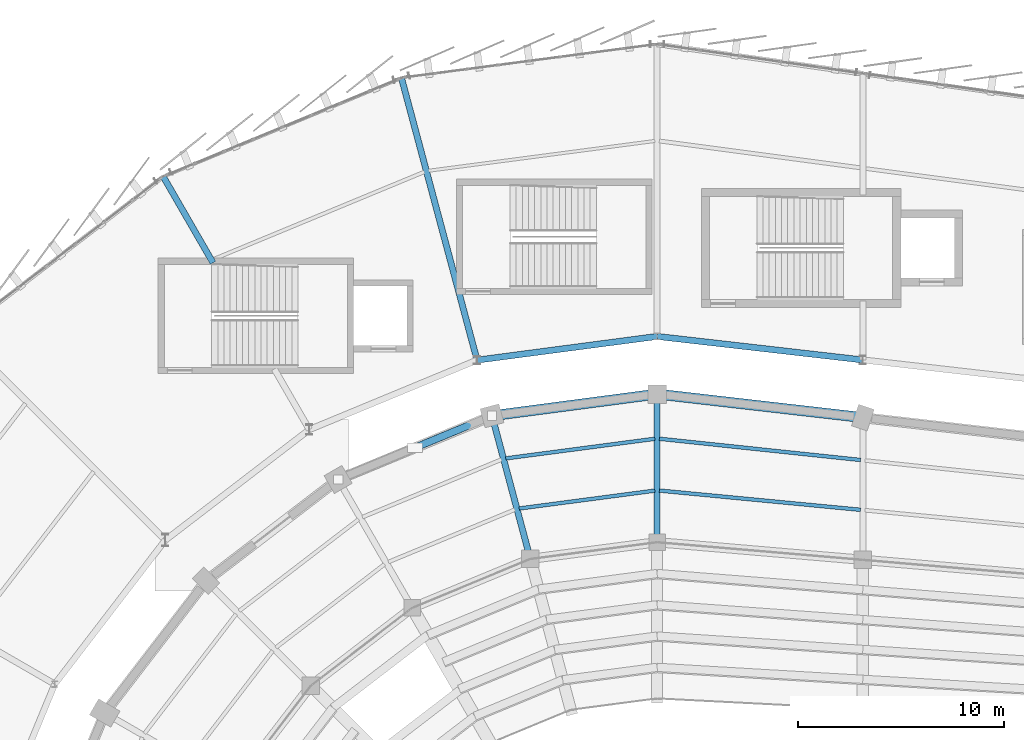
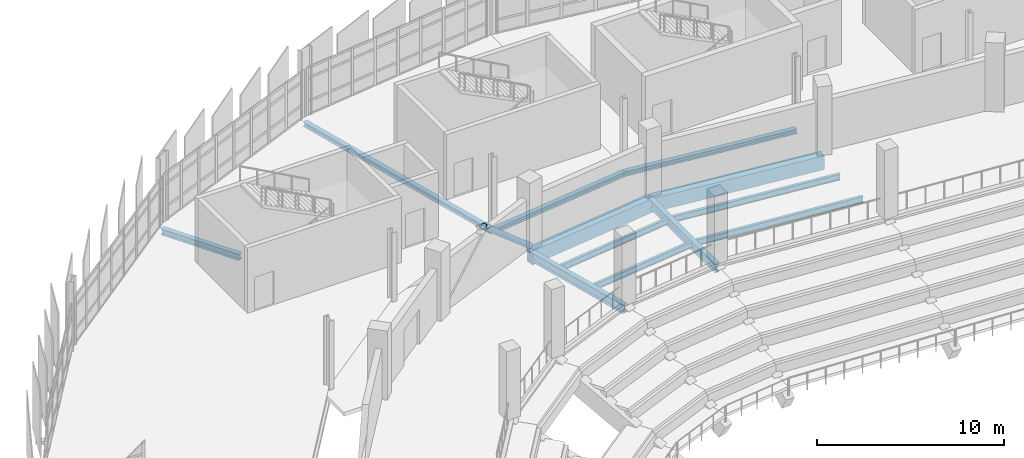
# One storey, part 55 of 134: 12 beams, 1 member.
"""IFC4 building model written with IfcOpenShell, lengths in metres."""

from ifc_helpers import new_model, si_unit, direction, frame, origin, origin_2d, place, context, subcontext, project, spatial, rectangle, hollow_circle, i_section, extrude, material, material_profile, profile_set, type_object, element, save


model = new_model("IFC4")

# Units and contexts
model_context = context("Model", 3, precision=1e-05, world=origin(), true_north=direction((0.0, 1.0)))
body_context = subcontext(model_context, "Body", "Model", "MODEL_VIEW")
ifc_project = project(units=[si_unit("LENGTHUNIT", "METRE"), si_unit("AREAUNIT", "SQUARE_METRE"), si_unit("VOLUMEUNIT", "CUBIC_METRE"), si_unit("PLANEANGLEUNIT", "RADIAN"), si_unit("MASSUNIT", "GRAM", prefix="KILO")], contexts=[model_context])

# Site, building, storey
site_placement = place(None, origin())
site = spatial("IfcSite", under=ifc_project, at=site_placement, CompositionType="ELEMENT")
building_placement = place(site_placement, origin())
building = spatial("IfcBuilding", under=site, at=building_placement, Name="Sohan Crest Arena", CompositionType="ELEMENT")
storey_placement = place(building_placement, frame((0.0, 0.0, 4.5)))
storey = spatial("IfcBuildingStorey", under=building, at=storey_placement, Name="L01", CompositionType="ELEMENT", Elevation=4.5)

# Beams
ifc_material_1 = material(Name="Steel S355", Category="steel")
ifc_material_profile_1 = material_profile(ifc_material_1, i_section(OverallWidth=0.179931640625, OverallDepth=0.39990234375, WebThickness=0.008544921875, FlangeThickness=0.013427734375, at=origin_2d()), Name="IPE 400")
ifc_profile_set_1 = profile_set([ifc_material_profile_1], Name="Steel S355")
beam_type_1 = type_object("IfcBeamType", Name="STR-BM-B03", PredefinedType="JOIST", material=ifc_profile_set_1)
beam_1_placement = place(storey_placement, frame((97.89111328125, 104.305908203125, -0.449951171875), z_axis=(-0.99142966471, -0.130641570465, 0.0), x_axis=(0.130641570465, -0.99142966471, 0.0)))
element("IfcBeam", 1, at=beam_1_placement, inside=storey, type_object=beam_type_1, Name="Structural beam J-L01-0067", PredefinedType="JOIST", context=body_context, shape_type="SweptSolid", body=[
    extrude(i_section(OverallWidth=0.179931640625, OverallDepth=0.39990234375, WebThickness=0.008544921875, FlangeThickness=0.013427734375, at=origin_2d()), origin(), (0.0, 0.0, 1.0), 6.65087890625),
])
beam_2_placement = place(storey_placement, frame((97.89111328125, 106.825927734375, -0.449951171875), z_axis=(-0.991446789819, -0.13051154339, 0.0), x_axis=(0.13051154339, -0.991446789819, 0.0)))
element("IfcBeam", 2, at=beam_2_placement, inside=storey, type_object=beam_type_1, Name="Structural beam J-L01-0068", PredefinedType="JOIST", context=body_context, shape_type="SweptSolid", body=[
    extrude(i_section(OverallWidth=0.179931640625, OverallDepth=0.39990234375, WebThickness=0.008544921875, FlangeThickness=0.013427734375, at=origin_2d()), origin(), (0.0, 0.0, 1.0), 7.30859375),
])
beam_3_placement = place(storey_placement, frame((107.89111328125, 103.373046875, -0.449951171875), z_axis=(-0.995443739336, 0.095350730547, 0.0), x_axis=(-0.095350730547, -0.995443739336, 0.0)))
element("IfcBeam", 3, at=beam_3_placement, inside=storey, type_object=beam_type_1, Name="Structural beam J-L01-0799", PredefinedType="JOIST", context=body_context, shape_type="SweptSolid", body=[
    extrude(i_section(OverallWidth=0.179931640625, OverallDepth=0.39990234375, WebThickness=0.008544921875, FlangeThickness=0.013427734375, at=origin_2d()), origin(), (0.0, 0.0, 1.0), 9.826904296875),
])
beam_4_placement = place(storey_placement, frame((107.89111328125, 105.794921875, -0.449951171875), z_axis=(-0.994470991784, 0.105011649352, 0.0), x_axis=(-0.105011649352, -0.994470991784, 0.0)))
element("IfcBeam", 4, at=beam_4_placement, inside=storey, type_object=beam_type_1, Name="Structural beam J-L01-0800", PredefinedType="JOIST", context=body_context, shape_type="SweptSolid", body=[
    extrude(i_section(OverallWidth=0.179931640625, OverallDepth=0.39990234375, WebThickness=0.008544921875, FlangeThickness=0.013427734375, at=origin_2d()), origin(), (0.0, 0.0, 1.0), 9.836669921875),
])
ifc_material_profile_2 = material_profile(ifc_material_1, i_section(OverallWidth=0.300048828125, OverallDepth=0.590087890625, WebThickness=0.012939453125, FlangeThickness=0.02490234375, at=origin_2d()), Name="HEA 600")
ifc_profile_set_2 = profile_set([ifc_material_profile_2], Name="Steel S355")
beam_type_2 = type_object("IfcBeamType", Name="STR-BM-B11", PredefinedType="BEAM", material=ifc_profile_set_2)
beam_5_placement = place(storey_placement, frame((98.0, 101.800048828125, -0.544921875), z_axis=(0.0, 1.0, 0.0), x_axis=(-1.0, 0.0, 0.0)))
element("IfcBeam", 5, at=beam_5_placement, inside=storey, type_object=beam_type_2, Name="Structural beam G-L01-0066", PredefinedType="BEAM", context=body_context, shape_type="SweptSolid", body=[
    extrude(i_section(OverallWidth=0.300048828125, OverallDepth=0.590087890625, WebThickness=0.012939453125, FlangeThickness=0.02490234375, at=origin_2d()), origin(), (0.0, 0.0, 1.0), 7.199951171875),
])
beam_6_placement = place(storey_placement, frame((91.840087890625, 100.989013671875, -0.544921875), z_axis=(-0.258745124417, 0.965945630245, 0.0), x_axis=(-0.965945630245, -0.258745124417, 0.0)))
element("IfcBeam", 6, at=beam_6_placement, inside=storey, type_object=beam_type_2, Name="Structural beam G-L01-0088", PredefinedType="BEAM", context=body_context, shape_type="SweptSolid", body=[
    extrude(i_section(OverallWidth=0.300048828125, OverallDepth=0.590087890625, WebThickness=0.012939453125, FlangeThickness=0.02490234375, at=origin_2d()), origin(), (0.0, 0.0, 1.0), 7.2001953125),
])
ifc_material_profile_3 = material_profile(ifc_material_1, i_section(OverallWidth=0.300048828125, OverallDepth=0.300048828125, WebThickness=0.010986328125, FlangeThickness=0.01904296875, at=origin_2d()), Name="HEB 300")
ifc_profile_set_3 = profile_set([ifc_material_profile_3], Name="Steel S355")
beam_type_3 = type_object("IfcBeamType", Name="STR-BM-B12", PredefinedType="BEAM", material=ifc_profile_set_3)
beam_7_placement = place(storey_placement, frame((98.0, 111.800048828125, -0.425048828125), z_axis=(-0.991439032147, -0.130570461953, 0.0), x_axis=(0.130570461953, -0.991439032147, 0.0)))
element("IfcBeam", 7, at=beam_7_placement, inside=storey, type_object=beam_type_3, Name="Structural beam G-L01-1092", PredefinedType="BEAM", context=body_context, shape_type="SweptSolid", body=[
    extrude(i_section(OverallWidth=0.300048828125, OverallDepth=0.300048828125, WebThickness=0.010986328125, FlangeThickness=0.01904296875, at=origin_2d()), origin(), (0.0, 0.0, 1.0), 8.823486328125),
])
beam_8_placement = place(storey_placement, frame((89.251953125, 110.64794921875, -0.425048828125), z_axis=(-0.258808560729, 0.965928635508, 0.0), x_axis=(-0.965928635508, -0.258808560729, 0.0)))
element("IfcBeam", 8, at=beam_8_placement, inside=storey, type_object=beam_type_3, Name="Structural beam G-L01-1095", PredefinedType="BEAM", context=body_context, shape_type="SweptSolid", body=[
    extrude(i_section(OverallWidth=0.300048828125, OverallDepth=0.300048828125, WebThickness=0.010986328125, FlangeThickness=0.01904296875, at=origin_2d()), origin(), (0.0, 0.0, 1.0), 14.199951171875),
])
beam_9_placement = place(storey_placement, frame((108.0, 110.656982421875, -0.425048828125), z_axis=(-0.99353032697, 0.113567114035, 0.0), x_axis=(-0.113567114035, -0.99353032697, 0.0)))
element("IfcBeam", 9, at=beam_9_placement, inside=storey, type_object=beam_type_3, Name="Structural beam G-L01-1242", PredefinedType="BEAM", context=body_context, shape_type="SweptSolid", body=[
    extrude(i_section(OverallWidth=0.300048828125, OverallDepth=0.300048828125, WebThickness=0.010986328125, FlangeThickness=0.01904296875, at=origin_2d()), origin(), (0.0, 0.0, 1.0), 10.065185546875),
])
ifc_material_profile_4 = material_profile(ifc_material_1, i_section(OverallWidth=0.300048828125, OverallDepth=0.39990234375, WebThickness=0.013427734375, FlangeThickness=0.02392578125, at=origin_2d()), Name="HEB 400")
ifc_profile_set_4 = profile_set([ifc_material_profile_4], Name="Steel S355")
beam_type_4 = type_object("IfcBeamType", Name="STR-BM-B13", PredefinedType="BEAM", material=ifc_profile_set_4)
beam_10_placement = place(storey_placement, frame((76.4189453125, 115.3798828125, -0.47509765625), z_axis=(-0.500047190239, 0.865998156773, 0.0), x_axis=(-0.865998156773, -0.500047190239, 0.0)))
element("IfcBeam", 10, at=beam_10_placement, inside=storey, type_object=beam_type_4, Name="Structural beam G-L01-1100", PredefinedType="BEAM", context=body_context, shape_type="SweptSolid", body=[
    extrude(i_section(OverallWidth=0.300048828125, OverallDepth=0.39990234375, WebThickness=0.013427734375, FlangeThickness=0.02392578125, at=origin_2d()), origin(), (0.0, 0.0, 1.0), 4.83740234375),
])
ifc_material_2 = material(Name="Concrete C40/50", Category="concrete")
ifc_material_profile_5 = material_profile(ifc_material_2, rectangle(XDim=0.5, YDim=0.89990234375, at=origin_2d()), Name="RC-BM 500x900")
ifc_profile_set_5 = profile_set([ifc_material_profile_5], Name="Concrete C40/50")
beam_type_5 = type_object("IfcBeamType", Name="STR-BM-TB03", PredefinedType="BEAM", material=ifc_profile_set_5)
beam_11_placement = place(storey_placement, frame((98.0, 109.0, -0.699951171875), z_axis=(-0.99145018748, -0.130485730048, 0.0), x_axis=(0.130485730048, -0.99145018748, 0.0)))
element("IfcBeam", 11, at=beam_11_placement, inside=storey, type_object=beam_type_5, Name="Structural beam TB-L01-0065", PredefinedType="BEAM", context=body_context, shape_type="SweptSolid", body=[
    extrude(rectangle(XDim=0.5, YDim=0.89990234375, at=origin_2d()), origin(), (0.0, 0.0, 1.0), 8.092041015625),
])
beam_12_placement = place(storey_placement, frame((108.0, 107.85693359375, -0.699951171875), z_axis=(-0.99353032697, 0.113567114035, 0.0), x_axis=(-0.113567114035, -0.99353032697, 0.0)))
element("IfcBeam", 12, at=beam_12_placement, inside=storey, type_object=beam_type_5, Name="Structural beam TB-L01-0797", PredefinedType="BEAM", context=body_context, shape_type="SweptSolid", body=[
    extrude(rectangle(XDim=0.5, YDim=0.89990234375, at=origin_2d()), origin(), (0.0, 0.0, 1.0), 10.065185546875),
])

# Member
ifc_material_profile_6 = material_profile(ifc_material_1, hollow_circle(Radius=0.177734375, WallThickness=0.01611328125, at=origin_2d()), Name="CHS 355.6x16")
ifc_profile_set_6 = profile_set([ifc_material_profile_6], Name="Steel S355")
member_type = type_object("IfcMemberType", Name="STR-MEM-BR04", PredefinedType="BRACE", material=ifc_profile_set_6)
member_placement = place(storey_placement, frame((89.97705078125, 107.944091796875, 0.0), z_axis=(-0.698697959822, -0.289545983611, 0.654205078179), x_axis=(0.38283670055, -0.923816031855, 0.0)))
element("IfcMember", 13, at=member_placement, inside=storey, type_object=member_type, Name="Concentric lateral chevron brace BR-003", PredefinedType="BRACE", context=body_context, shape_type="SweptSolid", body=[
    extrude(hollow_circle(Radius=0.177734375, WallThickness=0.01611328125, at=origin_2d()), origin(), (0.0, 0.0, 1.0), 5.35009765625),
])

save(model, "model.ifc")
